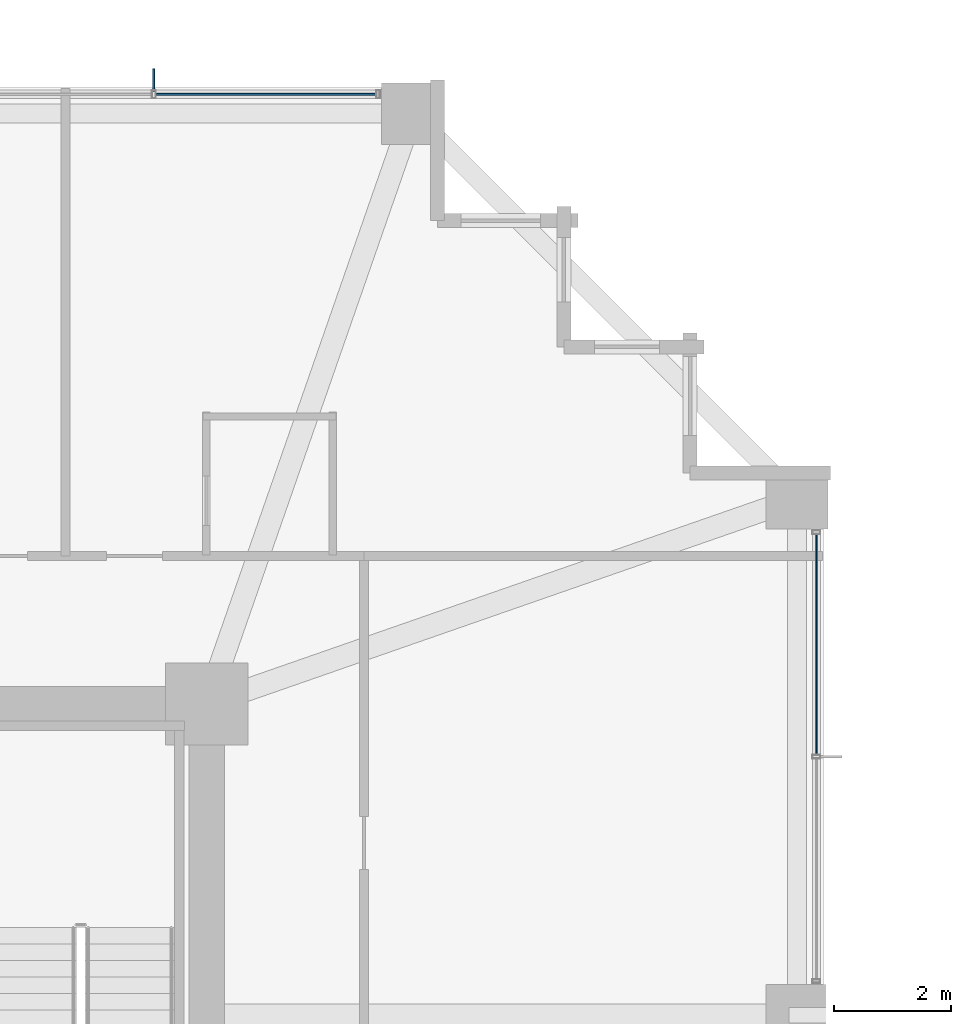
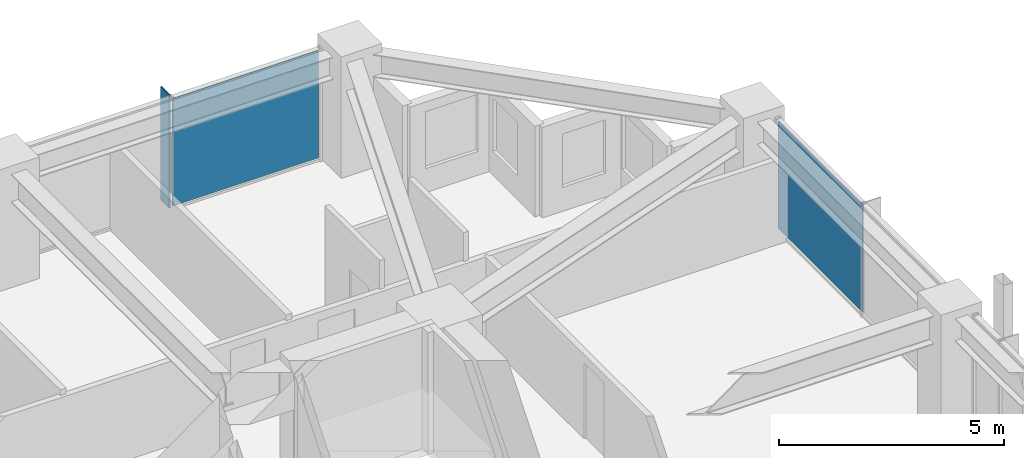
# One storey, part 30 of 37: 3 plates, 2 elements without a shape of their own.
"""IFC4 building model written with IfcOpenShell, lengths in metres."""

from ifc_helpers import new_model, si_unit, direction, frame, origin, origin_2d, place, context, subcontext, project, spatial, rectangle, extrude, material, layer, layer_set, type_object, element, aggregate, save


model = new_model("IFC4")

# Units and contexts
model_context = context("Model", 3, precision=1e-05, world=origin(), true_north=direction((0.0, 1.0)))
body_context = subcontext(model_context, "Body", "Model", "MODEL_VIEW")
ifc_project = project(units=[si_unit("LENGTHUNIT", "METRE"), si_unit("AREAUNIT", "SQUARE_METRE"), si_unit("VOLUMEUNIT", "CUBIC_METRE"), si_unit("PLANEANGLEUNIT", "RADIAN"), si_unit("MASSUNIT", "GRAM", prefix="KILO")], contexts=[model_context])

# Site, building, storey
site_placement = place(None, origin())
site = spatial("IfcSite", under=ifc_project, at=site_placement, CompositionType="ELEMENT")
building_placement = place(site_placement, origin())
building = spatial("IfcBuilding", under=site, at=building_placement, Name="Kolvaren Belvedere", CompositionType="ELEMENT")
storey_placement = place(building_placement, frame((0.0, 0.0, 82.10009765625)))
storey = spatial("IfcBuildingStorey", under=building, at=storey_placement, Name="L23", CompositionType="ELEMENT", Elevation=82.10009765625)

# Curtain wall, plate
ifc_material_1 = material(Name="Anodised pale-metal aluminium AA 6063-T6", Category="aluminium")
curtain_wall_type = type_object("IfcCurtainWallType", Name="CW-Z2-MID", PredefinedType="NOTDEFINED", material=ifc_material_1)
curtain_wall_1_placement = place(storey_placement, origin())
curtain_wall_1 = element("IfcCurtainWall", 1, at=curtain_wall_1_placement, inside=storey, type_object=curtain_wall_type, Name="L23 Unitised Curtain Wall FCW-L23-E1-B1", PredefinedType="NOTDEFINED")
ifc_material_2 = material(Name="Low-iron triple insulated glass", Category="glass")
ifc_layer_1 = layer(ifc_material_2, 0.028076171875)
ifc_layer_set_1 = layer_set([ifc_layer_1], Name="Low-iron triple insulated glass")
plate_type_1 = type_object("IfcPlateType", Name="CW-PNL-VIS28", PredefinedType="CURTAIN_PANEL", material=ifc_layer_set_1)
plate_1_placement = place(storey_placement, frame((20.280029296875, 10.9111328125, 0.079833984375), z_axis=(0.0, 0.0, 1.0), x_axis=(0.0, -1.0, 0.0)))
plate_1 = element("IfcPlate", 2, at=plate_1_placement, type_object=plate_type_1, Name="FCW-L23-E1-B1 Vision Glazing Panel 1", PredefinedType="CURTAIN_PANEL", context=body_context, shape_type="SweptSolid", body=[
    extrude(rectangle(XDim=3.742431640625, YDim=0.028076171875, at=origin_2d()), origin(), (0.0, 0.0, 1.0), 2.919921875),
])
aggregate(curtain_wall_1, [plate_1])

curtain_wall_2_placement = place(storey_placement, origin())
curtain_wall_2 = element("IfcCurtainWall", 3, at=curtain_wall_2_placement, inside=storey, type_object=curtain_wall_type, Name="L23 Unitised Curtain Wall FCW-L23-N-B3", PredefinedType="NOTDEFINED")
plate_2_placement = place(storey_placement, frame((10.9111328125, 20.280029296875, 0.079833984375), z_axis=(0.0, 0.0, 1.0), x_axis=(1.0, 0.0, 0.0)))
plate_2 = element("IfcPlate", 4, at=plate_2_placement, type_object=plate_type_1, Name="FCW-L23-N-B3 Vision Glazing Panel 2", PredefinedType="CURTAIN_PANEL", context=body_context, shape_type="SweptSolid", body=[
    extrude(rectangle(XDim=3.742431640625, YDim=0.028076171875, at=origin_2d()), origin(), (0.0, 0.0, 1.0), 2.919921875),
])
aggregate(curtain_wall_2, [plate_2])

# Plate
ifc_material_3 = material(Name="Anodised pale-metal aluminium AA 6063-T6", Category="aluminium")
ifc_layer_2 = layer(ifc_material_3, 0.033935546875)
ifc_layer_set_2 = layer_set([ifc_layer_2], Name="Anodised pale-metal aluminium AA 6063-T6")
plate_type_2 = type_object("IfcPlateType", Name="FIN-VERT-380", PredefinedType="USERDEFINED", material=ifc_layer_set_2)
plate_3_placement = place(storey_placement, frame((9.0, 20.52490234375, -0.000244140625), z_axis=(0.0, 0.0, 1.0), x_axis=(0.0, 1.0, 0.0)))
element("IfcPlate", 5, at=plate_3_placement, inside=storey, type_object=plate_type_2, Name="L23 Pale-Metal Vertical Shading Fin FCW-L23-N-B3-1", ObjectType="VERTICAL FIN", PredefinedType="USERDEFINED", context=body_context, shape_type="SweptSolid", body=[
    extrude(rectangle(XDim=0.3798828125, YDim=0.033935546875, at=origin_2d()), origin(), (0.0, 0.0, 1.0), 3.080078125),
])

save(model, "model.ifc")
